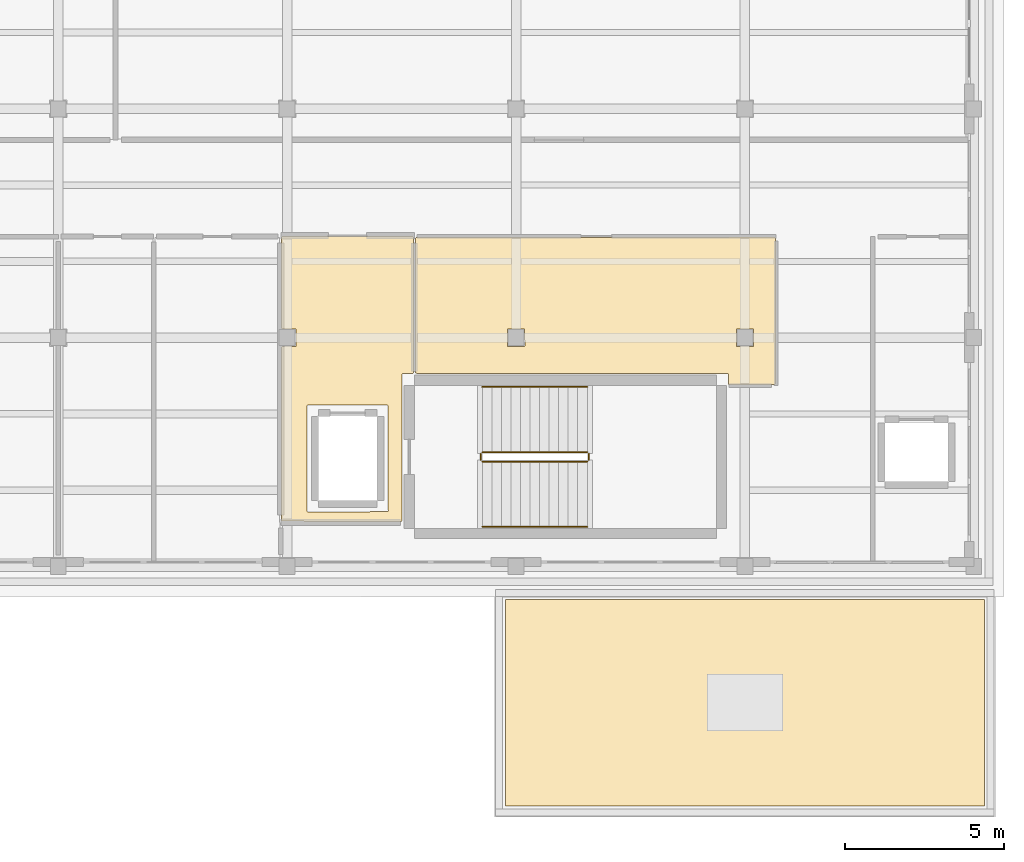
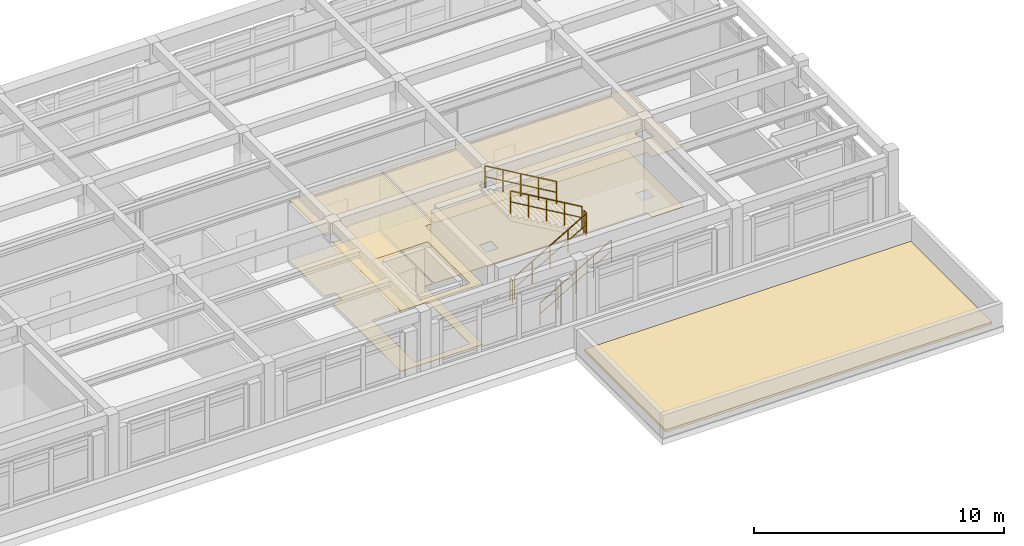
# One storey, part 14 of 15: 6 railings, 5 coverings.
"""IFC4 building model written with IfcOpenShell, lengths in metres."""

from ifc_helpers import new_model, si_unit, direction, frame, origin, origin_2d, place, context, subcontext, project, spatial, polyline, circle, outline, extrude, material, layer, layer_set, type_object, element, save


model = new_model("IFC4")

# Units and contexts
model_context = context("Model", 3, precision=1e-05, world=origin(), true_north=direction((0.0, 1.0)))
body_context = subcontext(model_context, "Body", "Model", "MODEL_VIEW")
ifc_project = project(units=[si_unit("LENGTHUNIT", "METRE"), si_unit("AREAUNIT", "SQUARE_METRE"), si_unit("VOLUMEUNIT", "CUBIC_METRE"), si_unit("PLANEANGLEUNIT", "RADIAN"), si_unit("MASSUNIT", "GRAM", prefix="KILO")], contexts=[model_context])

# Site, building, storey
site_placement = place(None, origin())
site = spatial("IfcSite", under=ifc_project, at=site_placement, CompositionType="ELEMENT")
building_placement = place(site_placement, origin())
building = spatial("IfcBuilding", under=site, at=building_placement, Name="Solenvale Faculty of Natural Sciences", CompositionType="ELEMENT")
storey_placement = place(building_placement, frame((0.0, 0.0, 48.0)))
storey = spatial("IfcBuildingStorey", under=building, at=storey_placement, Name="L11", CompositionType="ELEMENT", Elevation=48.0)

# Coverings
ifc_material_1 = material(Name="Acoustic mineral-timber ceiling", Category="wood")
ifc_layer_1 = layer(ifc_material_1, 0.02490234375)
ifc_layer_set_1 = layer_set([ifc_layer_1], Name="Acoustic mineral-timber ceiling")
covering_type_1 = type_object("IfcCoveringType", Name="COV-CEIL-AC25", PredefinedType="CEILING", material=ifc_layer_set_1)
covering_1_placement = place(storey_placement, frame((0.0, 0.0, 2.93505859375)))
element("IfcCovering", 1, at=covering_1_placement, inside=storey, type_object=covering_type_1, Name="L11 Firefighting Lobby C5 Acoustic Ceiling", PredefinedType="CEILING", context=body_context, shape_type="SweptSolid", body=[
    extrude(outline(polyline([(133.580078125, 99.7099609375), (133.555908203125, 99.680908203125), (133.248046875, 99.679931640625), (133.219970703125, 99.652099609375), (133.212890625, 95.031005859375), (133.18994140625, 95.02001953125), (129.430908203125, 95.027099609375), (129.419921875, 95.050048828125), (129.419921875, 100.498046875), (129.447021484375, 100.52490234375), (129.873046875, 100.529052734375), (129.875, 101.06396484375), (129.864013671875, 101.074951171875), (129.447021484375, 101.074951171875), (129.4208984375, 101.09912109375), (129.419921875, 103.949951171875), (129.428955078125, 103.970947265625), (129.449951171875, 103.97998046875), (133.550048828125, 103.97998046875), (133.571044921875, 103.970947265625), (133.580078125, 103.949951171875), (133.580078125, 99.7099609375)]), holes=[polyline([(130.248046875, 98.679931640625), (130.22802734375, 98.669921875), (130.219970703125, 98.64990234375), (130.22607421875, 95.33203125), (130.25, 95.320068359375), (132.76806640625, 95.325927734375), (132.780029296875, 95.35009765625), (132.77392578125, 98.66796875), (132.75, 98.679931640625), (130.248046875, 98.679931640625)])]), origin(), (0.0, 0.0, 1.0), 0.02490234375),
])
covering_2_placement = place(storey_placement, frame((0.0, 0.0, 2.93505859375)))
element("IfcCovering", 2, at=covering_2_placement, inside=storey, type_object=covering_type_1, Name="L11 Building Electrical and Telecom Closet Acoustic Ceiling", PredefinedType="CEILING", context=body_context, shape_type="SweptSolid", body=[
    extrude(outline(polyline([(144.929931640625, 103.9599609375), (144.950927734375, 103.950927734375), (144.9599609375, 103.929931640625), (144.9599609375, 99.35009765625), (144.94091796875, 99.322021484375), (143.50390625, 99.321044921875), (143.47998046875, 99.346923828125), (143.47998046875, 99.654052734375), (143.450927734375, 99.679931640625), (133.669921875, 99.679931640625), (133.64208984375, 99.698974609375), (133.639892578125, 103.929931640625), (133.658935546875, 103.9580078125), (144.929931640625, 103.9599609375)]), holes=[polyline([(144.263916015625, 100.52490234375), (144.27490234375, 100.535888671875), (144.27197265625, 101.072021484375), (143.72802734375, 101.072021484375), (143.72802734375, 100.528076171875), (144.263916015625, 100.52490234375)]), polyline([(137.06396484375, 100.52490234375), (137.074951171875, 100.535888671875), (137.072021484375, 101.072021484375), (136.528076171875, 101.072021484375), (136.528076171875, 100.528076171875), (137.06396484375, 100.52490234375)])]), origin(), (0.0, 0.0, 1.0), 0.02490234375),
])
ifc_material_2 = material(Name="Polished slate terrazzo flooring", Category="masonry")
ifc_layer_2 = layer(ifc_material_2, 0.01806640625)
ifc_layer_set_2 = layer_set([ifc_layer_2], Name="Polished slate terrazzo flooring")
covering_type_2 = type_object("IfcCoveringType", Name="COV-FLR-TRZ18", PredefinedType="FLOORING", material=ifc_layer_set_2)
covering_3_placement = place(storey_placement, origin())
element("IfcCovering", 3, at=covering_3_placement, inside=storey, type_object=covering_type_2, Name="L11 Firefighting Lobby C5 Floor Finish", PredefinedType="FLOORING", context=body_context, shape_type="SweptSolid", body=[
    extrude(outline(polyline([(133.580078125, 99.7099609375), (133.555908203125, 99.680908203125), (133.248046875, 99.679931640625), (133.219970703125, 99.652099609375), (133.212890625, 95.031005859375), (133.18994140625, 95.02001953125), (129.430908203125, 95.027099609375), (129.419921875, 95.050048828125), (129.419921875, 100.498046875), (129.447021484375, 100.52490234375), (129.873046875, 100.529052734375), (129.875, 101.06396484375), (129.864013671875, 101.074951171875), (129.447021484375, 101.074951171875), (129.4208984375, 101.09912109375), (129.419921875, 103.949951171875), (129.428955078125, 103.970947265625), (129.449951171875, 103.97998046875), (133.550048828125, 103.97998046875), (133.571044921875, 103.970947265625), (133.580078125, 103.949951171875), (133.580078125, 99.7099609375)]), holes=[polyline([(130.248046875, 98.679931640625), (130.22802734375, 98.669921875), (130.219970703125, 98.64990234375), (130.22607421875, 95.33203125), (130.25, 95.320068359375), (132.76806640625, 95.325927734375), (132.780029296875, 95.35009765625), (132.77392578125, 98.66796875), (132.75, 98.679931640625), (130.248046875, 98.679931640625)])]), origin(), (0.0, 0.0, 1.0), 0.01806640625),
])
covering_4_placement = place(storey_placement, origin())
element("IfcCovering", 4, at=covering_4_placement, inside=storey, type_object=covering_type_2, Name="L11 Building Electrical and Telecom Closet Floor Finish", PredefinedType="FLOORING", context=body_context, shape_type="SweptSolid", body=[
    extrude(outline(polyline([(144.929931640625, 103.9599609375), (144.950927734375, 103.950927734375), (144.9599609375, 103.929931640625), (144.9599609375, 99.35009765625), (144.94091796875, 99.322021484375), (143.50390625, 99.321044921875), (143.47998046875, 99.346923828125), (143.47998046875, 99.654052734375), (143.450927734375, 99.679931640625), (133.669921875, 99.679931640625), (133.64208984375, 99.698974609375), (133.639892578125, 103.929931640625), (133.658935546875, 103.9580078125), (144.929931640625, 103.9599609375)]), holes=[polyline([(144.263916015625, 100.52490234375), (144.27490234375, 100.535888671875), (144.27197265625, 101.072021484375), (143.72802734375, 101.072021484375), (143.72802734375, 100.528076171875), (144.263916015625, 100.52490234375)]), polyline([(137.06396484375, 100.52490234375), (137.074951171875, 100.535888671875), (137.072021484375, 101.072021484375), (136.528076171875, 101.072021484375), (136.528076171875, 100.528076171875), (137.06396484375, 100.52490234375)])]), origin(), (0.0, 0.0, 1.0), 0.01806640625),
])
ifc_material_3 = material(Name="Planted green roof build-up")
ifc_layer_3 = layer(ifc_material_3, 0.1201171875)
ifc_layer_set_3 = layer_set([ifc_layer_3], Name="Planted green roof build-up")
covering_type_3 = type_object("IfcCoveringType", Name="COV-ROOF-GREEN", PredefinedType="ROOFING", material=ifc_layer_set_3)
covering_5_placement = place(storey_placement, origin())
element("IfcCovering", 5, at=covering_5_placement, inside=storey, type_object=covering_type_3, Name="L11 Roof Covering 7", PredefinedType="ROOFING", context=body_context, shape_type="SweptSolid", body=[
    extrude(outline(polyline([(136.469970703125, 86.070068359375), (136.469970703125, 92.570068359375), (151.530029296875, 92.570068359375), (151.530029296875, 86.070068359375), (136.469970703125, 86.070068359375)])), origin(), (0.0, 0.0, 1.0), 0.1201171875),
])

# Railings
ifc_material_4 = material(Name="Stainless steel Grade 304", Category="steel")
railing_type_1 = type_object("IfcRailingType", Name="RL-GRD-1100", PredefinedType="GUARDRAIL", material=ifc_material_4)
railing_1_placement = place(storey_placement, frame((135.739990234375, 96.89990234375, 0.175048828125)))
element("IfcRailing", 6, at=railing_1_placement, inside=storey, type_object=railing_type_1, Name="L11 ST-05 stair guard 1", PredefinedType="GUARDRAIL", context=body_context, shape_type="SweptSolid", body=[
    extrude(circle(Radius=0.02392578125, at=origin_2d()), frame((0.0, 0.0, 1.09619140625), z_axis=(0.863776583165, 0.0, 0.503874998761), x_axis=(0.0, 1.0, 0.0)), (0.0, 0.0, 1.0), 3.820556640625),
    extrude(circle(Radius=0.01611328125, at=origin_2d()), frame((0.0, 0.0, 0.56005859375), z_axis=(0.863776583165, 0.0, 0.503874998761), x_axis=(0.0, 1.0, 0.0)), (0.0, 0.0, 1.0), 3.820556640625),
    extrude(circle(Radius=0.02099609375, at=origin_2d()), origin(), (0.0, 0.0, 1.0), 1.072021484375),
    extrude(circle(Radius=0.02099609375, at=origin_2d()), frame((0.824951171875, 0.0, 0.481201171875)), (0.0, 0.0, 1.0), 1.072021484375),
    extrude(circle(Radius=0.02099609375, at=origin_2d()), frame((1.64990234375, 0.0, 0.96240234375)), (0.0, 0.0, 1.0), 1.072021484375),
    extrude(circle(Radius=0.02099609375, at=origin_2d()), frame((2.47509765625, 0.0, 1.44384765625)), (0.0, 0.0, 1.0), 1.072021484375),
    extrude(circle(Radius=0.02099609375, at=origin_2d()), frame((3.300048828125, 0.0, 1.925048828125)), (0.0, 0.0, 1.0), 1.072021484375),
])
railing_2_placement = place(storey_placement, frame((139.090087890625, 96.949951171875, 2.10009765625)))
element("IfcRailing", 7, at=railing_2_placement, inside=storey, type_object=railing_type_1, Name="L11 ST-05 stair guard 2", PredefinedType="GUARDRAIL", context=body_context, shape_type="SweptSolid", body=[
    extrude(circle(Radius=0.02392578125, at=origin_2d()), frame((0.0, 0.0, 1.09619140625), z_axis=(0.0, 1.0, 0.0), x_axis=(-1.0, 0.0, 0.0)), (0.0, 0.0, 1.0), 0.199951171875),
    extrude(circle(Radius=0.01611328125, at=origin_2d()), frame((0.0, 0.0, 0.56005859375), z_axis=(0.0, 1.0, 0.0), x_axis=(-1.0, 0.0, 0.0)), (0.0, 0.0, 1.0), 0.199951171875),
    extrude(circle(Radius=0.02099609375, at=origin_2d()), origin(), (0.0, 0.0, 1.0), 1.072021484375),
    extrude(circle(Radius=0.02099609375, at=origin_2d()), frame((0.0, 0.199951171875, 0.0)), (0.0, 0.0, 1.0), 1.072021484375),
])
railing_3_placement = place(storey_placement, frame((139.0400390625, 97.199951171875, 2.27490234375)))
element("IfcRailing", 8, at=railing_3_placement, inside=storey, type_object=railing_type_1, Name="L11 ST-05 stair guard 3", PredefinedType="GUARDRAIL", context=body_context, shape_type="SweptSolid", body=[
    extrude(circle(Radius=0.02392578125, at=origin_2d()), frame((0.0, 0.0, 1.09619140625), z_axis=(-0.863776583165, 0.0, 0.503874998761), x_axis=(0.0, -1.0, 0.0)), (0.0, 0.0, 1.0), 3.820556640625),
    extrude(circle(Radius=0.01611328125, at=origin_2d()), frame((0.0, 0.0, 0.56005859375), z_axis=(-0.863776583165, 0.0, 0.503874998761), x_axis=(0.0, -1.0, 0.0)), (0.0, 0.0, 1.0), 3.820556640625),
    extrude(circle(Radius=0.02099609375, at=origin_2d()), origin(), (0.0, 0.0, 1.0), 1.072021484375),
    extrude(circle(Radius=0.02099609375, at=origin_2d()), frame((-0.824951171875, 0.0, 0.481201171875)), (0.0, 0.0, 1.0), 1.072021484375),
    extrude(circle(Radius=0.02099609375, at=origin_2d()), frame((-1.64990234375, 0.0, 0.96240234375)), (0.0, 0.0, 1.0), 1.072021484375),
    extrude(circle(Radius=0.02099609375, at=origin_2d()), frame((-2.47509765625, 0.0, 1.44384765625)), (0.0, 0.0, 1.0), 1.072021484375),
    extrude(circle(Radius=0.02099609375, at=origin_2d()), frame((-3.300048828125, 0.0, 1.925048828125)), (0.0, 0.0, 1.0), 1.072021484375),
])
railing_4_placement = place(storey_placement, frame((135.68994140625, 96.949951171875, 0.0)))
element("IfcRailing", 9, at=railing_4_placement, inside=storey, type_object=railing_type_1, Name="L11 ST-05 stair guard 4", PredefinedType="GUARDRAIL", context=body_context, shape_type="SweptSolid", body=[
    extrude(circle(Radius=0.02392578125, at=origin_2d()), frame((0.0, 0.0, 1.09619140625), z_axis=(0.0, 1.0, 0.0), x_axis=(-1.0, 0.0, 0.0)), (0.0, 0.0, 1.0), 0.199951171875),
    extrude(circle(Radius=0.01611328125, at=origin_2d()), frame((0.0, 0.0, 0.56005859375), z_axis=(0.0, 1.0, 0.0), x_axis=(-1.0, 0.0, 0.0)), (0.0, 0.0, 1.0), 0.199951171875),
    extrude(circle(Radius=0.02099609375, at=origin_2d()), origin(), (0.0, 0.0, 1.0), 1.072021484375),
    extrude(circle(Radius=0.02099609375, at=origin_2d()), frame((0.0, 0.199951171875, 0.0)), (0.0, 0.0, 1.0), 1.072021484375),
])
railing_type_2 = type_object("IfcRailingType", Name="RL-HND-900", PredefinedType="HANDRAIL", material=ifc_material_4)
railing_5_placement = place(storey_placement, frame((135.739990234375, 94.85009765625, 0.175048828125)))
element("IfcRailing", 10, at=railing_5_placement, inside=storey, type_object=railing_type_2, Name="L11 ST-05 stair handrail 1", PredefinedType="HANDRAIL", context=body_context, shape_type="SweptSolid", body=[
    extrude(circle(Radius=0.02392578125, at=origin_2d()), frame((0.0, 0.0, 1.0751953125), z_axis=(0.863776583165, 0.0, 0.503874998761), x_axis=(0.0, 1.0, 0.0)), (0.0, 0.0, 1.0), 3.820556640625),
    extrude(circle(Radius=0.01611328125, at=origin_2d()), frame((0.0, 0.0, 0.549560546875), z_axis=(0.863776583165, 0.0, 0.503874998761), x_axis=(0.0, 1.0, 0.0)), (0.0, 0.0, 1.0), 3.820556640625),
    extrude(circle(Radius=0.02099609375, at=origin_2d()), origin(), (0.0, 0.0, 1.0), 1.051025390625),
    extrude(circle(Radius=0.02099609375, at=origin_2d()), frame((0.824951171875, 0.0, 0.481201171875)), (0.0, 0.0, 1.0), 1.051025390625),
    extrude(circle(Radius=0.02099609375, at=origin_2d()), frame((1.64990234375, 0.0, 0.96240234375)), (0.0, 0.0, 1.0), 1.051025390625),
    extrude(circle(Radius=0.02099609375, at=origin_2d()), frame((2.47509765625, 0.0, 1.44384765625)), (0.0, 0.0, 1.0), 1.051025390625),
    extrude(circle(Radius=0.02099609375, at=origin_2d()), frame((3.300048828125, 0.0, 1.925048828125)), (0.0, 0.0, 1.0), 1.051025390625),
])
railing_6_placement = place(storey_placement, frame((139.0400390625, 99.25, 2.27490234375)))
element("IfcRailing", 11, at=railing_6_placement, inside=storey, type_object=railing_type_2, Name="L11 ST-05 stair handrail 2", PredefinedType="HANDRAIL", context=body_context, shape_type="SweptSolid", body=[
    extrude(circle(Radius=0.02392578125, at=origin_2d()), frame((0.0, 0.0, 1.0751953125), z_axis=(-0.863776583165, 0.0, 0.503874998761), x_axis=(0.0, -1.0, 0.0)), (0.0, 0.0, 1.0), 3.820556640625),
    extrude(circle(Radius=0.01611328125, at=origin_2d()), frame((0.0, 0.0, 0.549560546875), z_axis=(-0.863776583165, 0.0, 0.503874998761), x_axis=(0.0, -1.0, 0.0)), (0.0, 0.0, 1.0), 3.820556640625),
    extrude(circle(Radius=0.02099609375, at=origin_2d()), origin(), (0.0, 0.0, 1.0), 1.051025390625),
    extrude(circle(Radius=0.02099609375, at=origin_2d()), frame((-0.824951171875, 0.0, 0.481201171875)), (0.0, 0.0, 1.0), 1.051025390625),
    extrude(circle(Radius=0.02099609375, at=origin_2d()), frame((-1.64990234375, 0.0, 0.96240234375)), (0.0, 0.0, 1.0), 1.051025390625),
    extrude(circle(Radius=0.02099609375, at=origin_2d()), frame((-2.47509765625, 0.0, 1.44384765625)), (0.0, 0.0, 1.0), 1.051025390625),
    extrude(circle(Radius=0.02099609375, at=origin_2d()), frame((-3.300048828125, 0.0, 1.925048828125)), (0.0, 0.0, 1.0), 1.051025390625),
])

save(model, "model.ifc")
